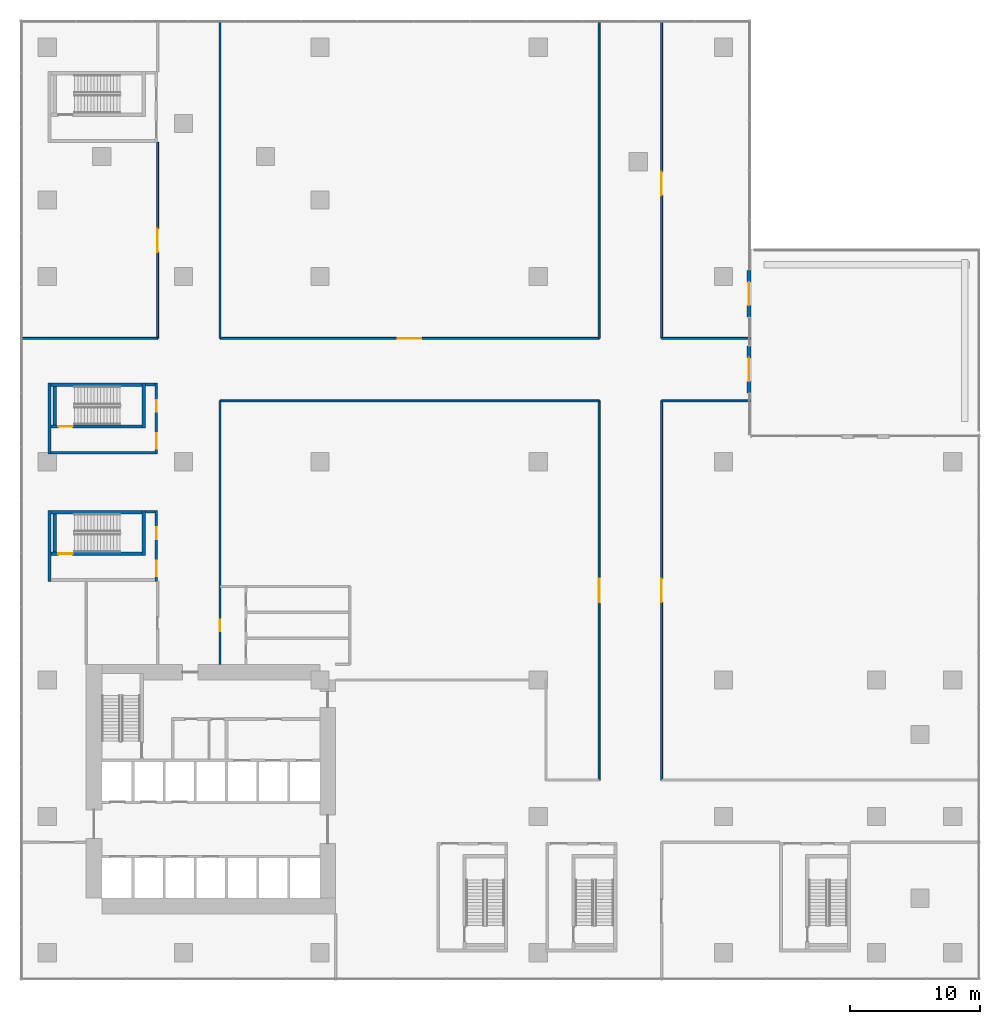
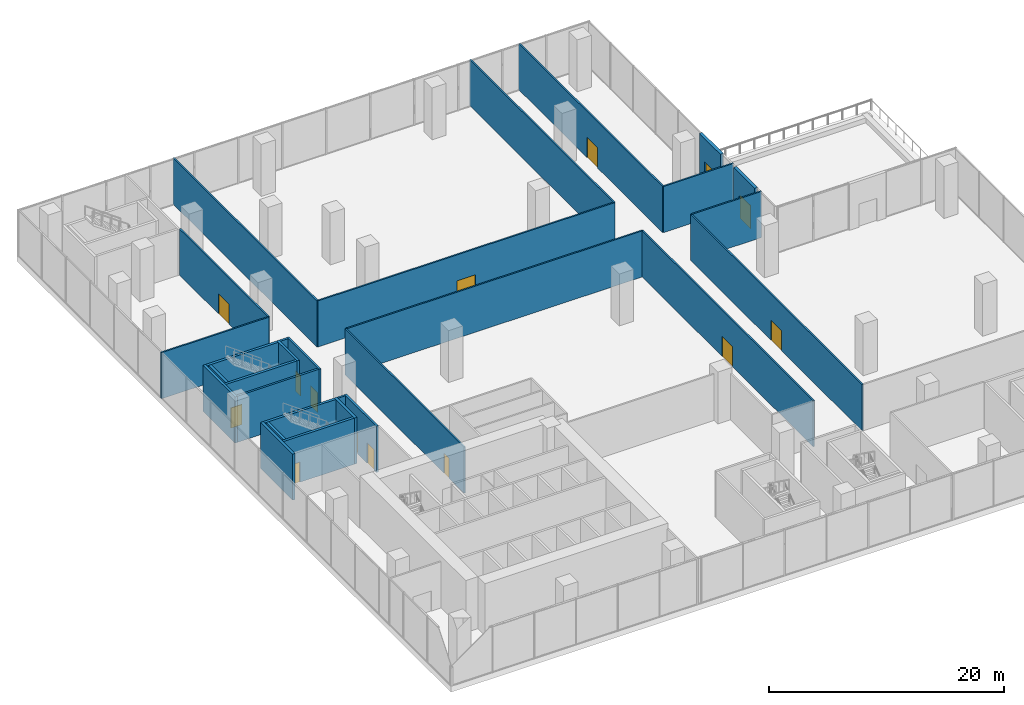
# One storey, part 15 of 23: 29 walls, 14 doors, 14 openings.
"""IFC4 building model written with IfcOpenShell, lengths in metres."""

import ifcopenshell
import ifcopenshell.guid

model = None  # the IFC model being written
_history = None  # IfcOwnerHistory: only IFC2X3 demands one
_inside = {}  # id of a spatial element -> (the spatial element, [elements in it])
_under = {}  # id of a project, library or spatial element -> (it, [spatial elements below it])
_declared = {}  # id of a project -> (the project, [libraries it declares])
_typed = {}  # id of a type object -> (the type object, [elements of that type])
_made_of = {}  # id of a material, layer set ... -> (it, [elements and type objects made of it])


def new_model(schema):
    """Start an empty IFC model of exactly this schema.

    Asked for "IFC4X3", IfcOpenShell would pick the latest addendum, in which some entities
    have other attributes; the version numbers below select the first issue.
    IFC2X3 requires an IfcOwnerHistory on every rooted entity: one is made here for all.
    """
    global model, _history
    if schema == "IFC4X3":
        model = ifcopenshell.file(schema_version=(4, 3, 0, 0))
    else:
        model = ifcopenshell.file(schema=schema)
    _inside.clear()
    _under.clear()
    _declared.clear()
    _typed.clear()
    _made_of.clear()
    _history = None
    if model.schema == "IFC2X3":
        org = make("IfcOrganization", Name="unknown")
        user = make(
            "IfcPersonAndOrganization",
            ThePerson=make("IfcPerson", FamilyName="unknown"),
            TheOrganization=org,
        )
        app = make(
            "IfcApplication",
            ApplicationDeveloper=org,
            Version="unknown",
            ApplicationFullName="unknown",
            ApplicationIdentifier="unknown",
        )
        _history = make(
            "IfcOwnerHistory",
            OwningUser=user,
            OwningApplication=app,
            ChangeAction="ADDED",
            CreationDate=0,
        )
    return model


def make(cls, **values):
    """One entity of the class cls with the attributes given. An attribute that is None is left unset."""
    return model.create_entity(
        cls, **{name: value for name, value in values.items() if value is not None}
    )


def rooted(cls, **values):
    """An entity with a GlobalId (a new one), such as an element, a storey or a relation."""
    return make(cls, GlobalId=ifcopenshell.guid.new(), OwnerHistory=_history, **values)


def si_unit(unit_type, name, prefix=None):
    """IfcSIUnit, for example si_unit("LENGTHUNIT", "METRE", prefix="MILLI")."""
    return make("IfcSIUnit", UnitType=unit_type, Prefix=prefix, Name=name)


def assignment(units):
    """IfcUnitAssignment: the units of a project."""
    return None if units is None else make("IfcUnitAssignment", Units=units)


def point(xyz):
    """IfcCartesianPoint."""
    return None if xyz is None else make("IfcCartesianPoint", Coordinates=xyz)


def direction(xyz):
    """IfcDirection."""
    return None if xyz is None else make("IfcDirection", DirectionRatios=xyz)


def frame(location, z_axis=None, x_axis=None):
    """IfcAxis2Placement3D, a coordinate frame: its origin and axes. An axis left out is left unset."""
    return make(
        "IfcAxis2Placement3D",
        Location=point(location),
        Axis=direction(z_axis),
        RefDirection=direction(x_axis),
    )


def frame_2d(location, x_axis=None):
    """IfcAxis2Placement2D, a coordinate frame in the plane: its origin and x axis."""
    return make(
        "IfcAxis2Placement2D", Location=point(location), RefDirection=direction(x_axis)
    )


def origin():
    """The frame at (0, 0, 0) with its axes left unset."""
    return frame((0.0, 0.0, 0.0))


def place(relative_to, where):
    """IfcLocalPlacement: puts the frame where relative to a parent placement (None: the world)."""
    return make(
        "IfcLocalPlacement", PlacementRelTo=relative_to, RelativePlacement=where
    )


def context(
    kind, dimensions, precision=None, world=None, true_north=None, identifier=None
):
    """IfcGeometricRepresentationContext, for example the 3D "Model" context."""
    return make(
        "IfcGeometricRepresentationContext",
        ContextIdentifier=identifier,
        ContextType=kind,
        CoordinateSpaceDimension=dimensions,
        Precision=precision,
        WorldCoordinateSystem=world,
        TrueNorth=true_north,
    )


def subcontext(parent, identifier, kind, view, scale=None):
    """IfcGeometricRepresentationSubContext, for example "Body" below "Model"."""
    return make(
        "IfcGeometricRepresentationSubContext",
        ContextIdentifier=identifier,
        ContextType=kind,
        ParentContext=parent,
        TargetScale=scale,
        TargetView=view,
    )


def project(units=None, contexts=None):
    """IfcProject with its units and contexts."""
    return rooted(
        "IfcProject",
        Name="project",
        RepresentationContexts=contexts,
        UnitsInContext=assignment(units),
    )


def spatial(cls, under=None, at=None, **own):
    """A site, building, storey or space (cls), placed at a placement, below another one or the project."""
    s = rooted(cls, ObjectPlacement=at, **own)
    if under is not None:
        _under.setdefault(under.id(), (under, []))[1].append(s)
    return s


def profile(cls, at=None, kind="AREA", **sizes):
    """A parametric profile (cls). Its sizes go by their IFC names, for example OverallWidth=200.0."""
    return make(cls, ProfileType=kind, Position=at, **sizes)


def rectangle(**sizes):
    """IfcRectangleProfileDef."""
    return profile("IfcRectangleProfileDef", **sizes)


def extrude(swept, where, along, depth):
    """IfcExtrudedAreaSolid: the profile swept, set in the frame where, extruded along a direction by depth."""
    return make(
        "IfcExtrudedAreaSolid",
        SweptArea=swept,
        Position=where,
        ExtrudedDirection=direction(along),
        Depth=depth,
    )


def shape(context_of_items, identifier, shape_type, items):
    """IfcShapeRepresentation: the items that make up one representation, for example the "Body"."""
    return make(
        "IfcShapeRepresentation",
        ContextOfItems=context_of_items,
        RepresentationIdentifier=identifier,
        RepresentationType=shape_type,
        Items=items,
    )


def source(mapping_origin, context_of_items, identifier, shape_type, items):
    """IfcRepresentationMap: a shape defined once, which mapped items show again and again."""
    return make(
        "IfcRepresentationMap",
        MappingOrigin=mapping_origin,
        MappedRepresentation=shape(context_of_items, identifier, shape_type, items),
    )


def transform(
    local_origin,
    x_axis=None,
    y_axis=None,
    z_axis=None,
    scale=None,
    scale2=None,
    scale3=None,
    uniform=True,
):
    """IfcCartesianTransformationOperator3D, or its non-uniform kind. x_axis, y_axis, z_axis: its Axis1, 2, 3."""
    if uniform:
        return make(
            "IfcCartesianTransformationOperator3D",
            Axis1=direction(x_axis),
            Axis2=direction(y_axis),
            LocalOrigin=point(local_origin),
            Scale=scale,
            Axis3=direction(z_axis),
        )
    return make(
        "IfcCartesianTransformationOperator3DnonUniform",
        Axis1=direction(x_axis),
        Axis2=direction(y_axis),
        LocalOrigin=point(local_origin),
        Scale=scale,
        Axis3=direction(z_axis),
        Scale2=scale2,
        Scale3=scale3,
    )


def mapped(mapping_source, mapping_target):
    """IfcMappedItem: shows the shape of a source again, moved by a transform."""
    return make(
        "IfcMappedItem", MappingSource=mapping_source, MappingTarget=mapping_target
    )


def material(Name=None, Category=None):
    """IfcMaterial."""
    return make("IfcMaterial", Name=Name, Category=Category)


def layer(
    of_material, thickness, ventilated=None, Name=None, Category=None, Priority=None
):
    """IfcMaterialLayer: one layer of a wall or slab, of a material (None: an air gap)."""
    return make(
        "IfcMaterialLayer",
        Material=of_material,
        LayerThickness=thickness,
        IsVentilated=ventilated,
        Name=Name,
        Category=Category,
        Priority=Priority,
    )


def layer_set(layers, Name=None):
    """IfcMaterialLayerSet."""
    return make("IfcMaterialLayerSet", MaterialLayers=layers, LayerSetName=Name)


def made_of(thing, what):
    """Note that an element or type object is made of a material, layer set ...; save() writes the relation."""
    if what is not None:
        _made_of.setdefault(what.id(), (what, []))[1].append(thing)
    return thing


def type_object(cls, material=None, **own):
    """A type object (cls), such as IfcWallType, which elements share."""
    return made_of(rooted(cls, **own), material)


def element(
    cls,
    number,
    at=None,
    inside=None,
    cuts=None,
    type_object=None,
    material=None,
    context=None,
    identifier="Body",
    shape_type=None,
    held_by="IfcProductDefinitionShape",
    body=None,
    shapes=None,
    **own,
):
    """One element of the class cls, such as IfcWall. Its Tag is "e" and its number.

    at: its placement. inside: the storey or other place that contains it. cuts: it is an
    opening in that element (IfcRelVoidsElement). A single representation is given by context,
    identifier, shape_type and body (its items); several are given by shapes. held_by: the class
    of the entity that holds the representations. save() writes the other relations.
    """
    e = rooted(cls, Tag="e%d" % number, ObjectPlacement=at, **own)
    if body is not None:
        shapes = [shape(context, identifier, shape_type, body)]
    if shapes is not None:
        e.Representation = make(held_by, Representations=shapes)
    if inside is not None:
        _inside.setdefault(inside.id(), (inside, []))[1].append(e)
    if cuts is not None:
        rooted(
            "IfcRelVoidsElement", RelatingBuildingElement=cuts, RelatedOpeningElement=e
        )
    if type_object is not None:
        _typed.setdefault(type_object.id(), (type_object, []))[1].append(e)
    return made_of(e, material)


def fill(opening, filler):
    """IfcRelFillsElement: the door or window that sits in an opening."""
    return rooted(
        "IfcRelFillsElement",
        RelatingOpeningElement=opening,
        RelatedBuildingElement=filler,
    )


def aggregate(whole, parts):
    """IfcRelAggregates: a whole, such as a stair, and the parts it consists of."""
    return rooted("IfcRelAggregates", RelatingObject=whole, RelatedObjects=parts)


def save(model, path):
    """Write the relations noted so far, then the file.

    IfcRelAggregates (storeys below a building ...), IfcRelContainedInSpatialStructure (elements
    in a storey), IfcRelDefinesByType, IfcRelAssociatesMaterial and IfcRelDeclares: one each for
    every whole, place, type object, material and project.
    """
    for whole, parts in _under.values():
        aggregate(whole, parts)
    for where, things in _inside.values():
        rooted(
            "IfcRelContainedInSpatialStructure",
            RelatedElements=things,
            RelatingStructure=where,
        )
    for kind, things in _typed.values():
        rooted("IfcRelDefinesByType", RelatedObjects=things, RelatingType=kind)
    for what, things in _made_of.values():
        rooted("IfcRelAssociatesMaterial", RelatedObjects=things, RelatingMaterial=what)
    for by, libraries in _declared.values():
        rooted("IfcRelDeclares", RelatingContext=by, RelatedDefinitions=libraries)
    model.write(path)


model = new_model("IFC4")

# Units and contexts
model_context = context("Model", 3, precision=1e-05, world=origin(), true_north=direction((0.0, 1.0)))
body_context = subcontext(model_context, "Body", "Model", "MODEL_VIEW")
ifc_project = project(units=[si_unit("LENGTHUNIT", "METRE"), si_unit("AREAUNIT", "SQUARE_METRE"), si_unit("VOLUMEUNIT", "CUBIC_METRE"), si_unit("PLANEANGLEUNIT", "RADIAN"), si_unit("MASSUNIT", "GRAM", prefix="KILO")], contexts=[model_context])

# Site, building, storey
site_placement = place(None, origin())
site = spatial("IfcSite", under=ifc_project, at=site_placement, CompositionType="ELEMENT")
building_placement = place(site_placement, origin())
building = spatial("IfcBuilding", under=site, at=building_placement, Name="Aurelian Terraces", CompositionType="ELEMENT")
storey_placement = place(building_placement, frame((0.0, 0.0, 23.7)))
storey = spatial("IfcBuildingStorey", under=building, at=storey_placement, Name="L04", CompositionType="ELEMENT", Elevation=23.7)

# Wall, opening, door
ifc_material_1 = material(Name="Terracotta rainscreen cladding", Category="masonry")
ifc_layer_1 = layer(ifc_material_1, 0.3)
ifc_layer_set_1 = layer_set([ifc_layer_1], Name="EW-300")
wall_type_1 = type_object("IfcWallType", Name="EW-300", PredefinedType="STANDARD", material=ifc_layer_set_1)
shared_shape_1 = source(origin(), body_context, "Body", "SweptSolid", [
    extrude(rectangle(XDim=3.6, YDim=0.3, at=frame_2d((1.8, 0.0))), origin(), (0.0, 0.0, 1.0), 4.8),
])
wall_1_placement = place(storey_placement, frame((54.03, 43.1, 0.0), z_axis=(0.0, 0.0, 1.0), x_axis=(0.0, 1.0, 0.0)))
wall_1 = element("IfcWall", 1, at=wall_1_placement, inside=storey, type_object=wall_type_1, Name="Terrace wall L04 F04", PredefinedType="STANDARD", context=body_context, shape_type="MappedRepresentation", body=[
    mapped(shared_shape_1, transform((0.0, 0.0, 0.0), scale=1.0)),
])
shared_shape_2 = source(origin(), body_context, "Body", "SweptSolid", [
    extrude(rectangle(XDim=1.8, YDim=2.4, at=frame_2d((0.9, 1.2))), frame((0.0, 0.16, 0.0), z_axis=(0.0, -1.0, 0.0), x_axis=(1.0, 0.0, 0.0)), (0.0, 0.0, 1.0), 0.32),
])
opening_1_placement = place(wall_1_placement, frame((0.9, 0.0, 0.0)))
opening_1 = element("IfcOpeningElement", 2, at=opening_1_placement, cuts=wall_1, Name="Opening 80402", PredefinedType="OPENING", context=body_context, shape_type="MappedRepresentation", body=[
    mapped(shared_shape_2, transform((0.0, 0.0, 0.0), scale=1.0)),
])
ifc_material_2 = material(Name="Clear glazing", Category="glass")
door_type_1 = type_object("IfcDoorType", Name="BD-1800x2400", OperationType="SLIDING_TO_LEFT", PredefinedType="DOOR", material=ifc_material_2)
shared_shape_3 = source(origin(), body_context, "Body", "SweptSolid", [
    extrude(rectangle(XDim=1.8, YDim=2.4, at=frame_2d((0.9, 1.2))), frame((0.0, 0.025, 0.0), z_axis=(0.0, -1.0, 0.0), x_axis=(1.0, 0.0, 0.0)), (0.0, 0.0, 1.0), 0.05),
])
door_1_placement = place(opening_1_placement, origin())
door_1 = element("IfcDoor", 3, at=door_1_placement, inside=storey, type_object=door_type_1, Name="Terrace door L04 F04", OperationType="SLIDING_TO_LEFT", OverallHeight=2.4, OverallWidth=1.8, PredefinedType="DOOR", context=body_context, shape_type="MappedRepresentation", body=[
    mapped(shared_shape_3, transform((0.0, 0.0, 0.0), scale=1.0)),
])
fill(opening_1, door_1)

wall_2_placement = place(storey_placement, frame((54.03, 48.94, 0.0), z_axis=(0.0, 0.0, 1.0), x_axis=(0.0, 1.0, 0.0)))
wall_2 = element("IfcWall", 4, at=wall_2_placement, inside=storey, type_object=wall_type_1, Name="Terrace wall L04 F04", PredefinedType="STANDARD", context=body_context, shape_type="MappedRepresentation", body=[
    mapped(shared_shape_1, transform((0.0, 0.0, 0.0), scale=1.0)),
])
opening_2_placement = place(wall_2_placement, frame((0.9, 0.0, 0.0)))
opening_2 = element("IfcOpeningElement", 5, at=opening_2_placement, cuts=wall_2, Name="Opening 80403", PredefinedType="OPENING", context=body_context, shape_type="MappedRepresentation", body=[
    mapped(shared_shape_2, transform((0.0, 0.0, 0.0), scale=1.0)),
])
door_2_placement = place(opening_2_placement, origin())
door_2 = element("IfcDoor", 6, at=door_2_placement, inside=storey, type_object=door_type_1, Name="Terrace door L04 F04", OperationType="SLIDING_TO_LEFT", OverallHeight=2.4, OverallWidth=1.8, PredefinedType="DOOR", context=body_context, shape_type="MappedRepresentation", body=[
    mapped(shared_shape_3, transform((0.0, 0.0, 0.0), scale=1.0)),
])
fill(opening_2, door_2)

ifc_material_3 = material(Name="Concrete fc' 40 MPa", Category="concrete")
ifc_layer_2 = layer(ifc_material_3, 0.25)
ifc_layer_set_2 = layer_set([ifc_layer_2], Name="Stair enclosure wall 250")
wall_type_2 = type_object("IfcWallType", Name="Stair enclosure wall 250", PredefinedType="SOLIDWALL", material=ifc_layer_set_2)
shared_shape_4 = source(origin(), body_context, "Body", "SweptSolid", [
    extrude(rectangle(XDim=7.0, YDim=0.25, at=frame_2d((3.5, 0.0))), origin(), (0.0, 0.0, 1.0), 4.8),
])
wall_3_placement = place(storey_placement, frame((0.3, 40.525, 0.0), z_axis=(0.0, 0.0, 1.0), x_axis=(1.0, 0.0, 0.0)))
wall_3 = element("IfcWall", 7, at=wall_3_placement, inside=storey, type_object=wall_type_2, Name="L04 core wall ST-S3-W", PredefinedType="SOLIDWALL", context=body_context, shape_type="MappedRepresentation", body=[
    mapped(shared_shape_4, transform((0.0, 0.0, 0.0), scale=1.0)),
])
shared_shape_5 = source(origin(), body_context, "Body", "SweptSolid", [
    extrude(rectangle(XDim=1.1, YDim=2.1, at=frame_2d((0.55, 1.05))), frame((0.0, 0.135, 0.0), z_axis=(0.0, -1.0, 0.0), x_axis=(1.0, 0.0, 0.0)), (0.0, 0.0, 1.0), 0.27),
])
opening_3_placement = place(wall_3_placement, frame((0.55, 0.0, 0.0)))
opening_3 = element("IfcOpeningElement", 8, at=opening_3_placement, cuts=wall_3, Name="Opening 60717", PredefinedType="OPENING", context=body_context, shape_type="MappedRepresentation", body=[
    mapped(shared_shape_5, transform((0.0, 0.0, 0.0), scale=1.0)),
])
ifc_material_4 = material(Name="Steel door leaf", Category="steel")
door_type_2 = type_object("IfcDoorType", Name="Core fire door 1100x2100", OperationType="SINGLE_SWING_LEFT", PredefinedType="DOOR", material=ifc_material_4)
shared_shape_6 = source(origin(), body_context, "Body", "SweptSolid", [
    extrude(rectangle(XDim=1.1, YDim=2.1, at=frame_2d((0.55, 1.05))), frame((0.0, 0.025, 0.0), z_axis=(0.0, -1.0, 0.0), x_axis=(1.0, 0.0, 0.0)), (0.0, 0.0, 1.0), 0.05),
])
door_3_placement = place(opening_3_placement, origin())
door_3 = element("IfcDoor", 9, at=door_3_placement, inside=storey, type_object=door_type_2, Name="Stair door 60717", OperationType="SINGLE_SWING_LEFT", OverallHeight=2.1, OverallWidth=1.1, PredefinedType="DOOR", context=body_context, shape_type="MappedRepresentation", body=[
    mapped(shared_shape_6, transform((0.0, 0.0, 0.0), scale=1.0)),
])
fill(opening_3, door_3)

# Wall
wall_4_placement = place(storey_placement, frame((0.3, 43.725, 0.0), z_axis=(0.0, 0.0, 1.0), x_axis=(1.0, 0.0, 0.0)))
element("IfcWall", 10, at=wall_4_placement, inside=storey, type_object=wall_type_2, Name="L04 core wall ST-S3-E", PredefinedType="SOLIDWALL", context=body_context, shape_type="MappedRepresentation", body=[
    mapped(shared_shape_4, transform((0.0, 0.0, 0.0), scale=1.0)),
])

# Wall, opening, door
wall_5_placement = place(storey_placement, frame((0.3, 30.725, 0.0), z_axis=(0.0, 0.0, 1.0), x_axis=(1.0, 0.0, 0.0)))
wall_5 = element("IfcWall", 11, at=wall_5_placement, inside=storey, type_object=wall_type_2, Name="L04 core wall ST-S4-W", PredefinedType="SOLIDWALL", context=body_context, shape_type="MappedRepresentation", body=[
    mapped(shared_shape_4, transform((0.0, 0.0, 0.0), scale=1.0)),
])
opening_4_placement = place(wall_5_placement, frame((0.55, 0.0, 0.0)))
opening_4 = element("IfcOpeningElement", 12, at=opening_4_placement, cuts=wall_5, Name="Opening 60720", PredefinedType="OPENING", context=body_context, shape_type="MappedRepresentation", body=[
    mapped(shared_shape_5, transform((0.0, 0.0, 0.0), scale=1.0)),
])
door_type_3 = type_object("IfcDoorType", Name="Core fire door 1100x2100 right", OperationType="SINGLE_SWING_RIGHT", PredefinedType="DOOR", material=ifc_material_4)
door_4_placement = place(opening_4_placement, origin())
door_4 = element("IfcDoor", 13, at=door_4_placement, inside=storey, type_object=door_type_3, Name="Stair door 60720", OperationType="SINGLE_SWING_RIGHT", OverallHeight=2.1, OverallWidth=1.1, PredefinedType="DOOR", context=body_context, shape_type="MappedRepresentation", body=[
    mapped(shared_shape_6, transform((0.0, 0.0, 0.0), scale=1.0)),
])
fill(opening_4, door_4)

# Walls
wall_6_placement = place(storey_placement, frame((0.3, 33.925, 0.0), z_axis=(0.0, 0.0, 1.0), x_axis=(1.0, 0.0, 0.0)))
element("IfcWall", 14, at=wall_6_placement, inside=storey, type_object=wall_type_2, Name="L04 core wall ST-S4-E", PredefinedType="SOLIDWALL", context=body_context, shape_type="MappedRepresentation", body=[
    mapped(shared_shape_4, transform((0.0, 0.0, 0.0), scale=1.0)),
])
shared_shape_7 = source(origin(), body_context, "Body", "SweptSolid", [
    extrude(rectangle(XDim=3.45, YDim=0.25, at=frame_2d((1.725, 0.0))), origin(), (0.0, 0.0, 1.0), 4.8),
])
for number, where, z_axis, x_axis, name in (
    (15, (7.425, 40.4, 0.0), (0.0, 0.0, 1.0), (0.0, 1.0, 0.0), "L04 core wall ST-S3-N"),
    (16, (7.425, 30.6, 0.0), (0.0, 0.0, 1.0), (0.0, 1.0, 0.0), "L04 core wall ST-S4-N"),
):
    element("IfcWall", number, at=place(storey_placement, frame(where, z_axis=z_axis, x_axis=x_axis)), inside=storey, type_object=wall_type_2, Name=name, PredefinedType="SOLIDWALL", context=body_context, shape_type="MappedRepresentation", body=[
        mapped(shared_shape_7, transform((0.0, 0.0, 0.0), scale=1.0)),
    ])
shared_shape_8 = source(origin(), body_context, "Body", "SweptSolid", [
    extrude(rectangle(XDim=2.95, YDim=0.25, at=frame_2d((1.475, 0.0))), origin(), (0.0, 0.0, 1.0), 4.8),
])
for number, where, z_axis, x_axis, name in (
    (17, (0.575, 40.65, 0.0), (0.0, 0.0, 1.0), (0.0, 1.0, 0.0), "L04 core wall ST-S3-SS"),
    (18, (0.575, 30.85, 0.0), (0.0, 0.0, 1.0), (0.0, 1.0, 0.0), "L04 core wall ST-S4-SS"),
):
    element("IfcWall", number, at=place(storey_placement, frame(where, z_axis=z_axis, x_axis=x_axis)), inside=storey, type_object=wall_type_2, Name=name, PredefinedType="SOLIDWALL", context=body_context, shape_type="MappedRepresentation", body=[
        mapped(shared_shape_8, transform((0.0, 0.0, 0.0), scale=1.0)),
    ])
ifc_material_5 = material(Name="Gypsum board on steel studs", Category="steel")
ifc_layer_3 = layer(ifc_material_5, 0.2)
ifc_layer_set_3 = layer_set([ifc_layer_3], Name="Core partition 200")
wall_type_3 = type_object("IfcWallType", Name="Core partition 200", PredefinedType="PARTITIONING", material=ifc_layer_set_3)
shared_shape_9 = source(origin(), body_context, "Body", "SweptSolid", [
    extrude(rectangle(XDim=8.0, YDim=0.2, at=frame_2d((4.0, 0.0))), origin(), (0.0, 0.0, 1.0), 4.8),
])
wall_7_placement = place(storey_placement, frame((0.3, 38.5, 0.0), z_axis=(0.0, 0.0, 1.0), x_axis=(1.0, 0.0, 0.0)))
element("IfcWall", 19, at=wall_7_placement, inside=storey, type_object=wall_type_3, Name="L04 core wall ST-S3-VW", PredefinedType="PARTITIONING", context=body_context, shape_type="MappedRepresentation", body=[
    mapped(shared_shape_9, transform((0.0, 0.0, 0.0), scale=1.0)),
])

# Wall, openings, doors
shared_shape_10 = source(origin(), body_context, "Body", "SweptSolid", [
    extrude(rectangle(XDim=5.45, YDim=0.2, at=frame_2d((2.725, 0.0))), origin(), (0.0, 0.0, 1.0), 4.8),
])
wall_8_placement = place(storey_placement, frame((8.4, 38.4, 0.0), z_axis=(0.0, 0.0, 1.0), x_axis=(0.0, 1.0, 0.0)))
wall_8 = element("IfcWall", 20, at=wall_8_placement, inside=storey, type_object=wall_type_3, Name="L04 core wall ST-S3-BN", PredefinedType="PARTITIONING", context=body_context, shape_type="MappedRepresentation", body=[
    mapped(shared_shape_10, transform((0.0, 0.0, 0.0), scale=1.0)),
])
shared_shape_11 = source(origin(), body_context, "Body", "SweptSolid", [
    extrude(rectangle(XDim=1.2, YDim=2.1, at=frame_2d((0.6, 1.05))), frame((0.0, 0.11, 0.0), z_axis=(0.0, -1.0, 0.0), x_axis=(1.0, 0.0, 0.0)), (0.0, 0.0, 1.0), 0.22),
])
opening_5_placement = place(wall_8_placement, frame((0.4, 0.0, 0.0)))
opening_5 = element("IfcOpeningElement", 21, at=opening_5_placement, cuts=wall_8, Name="Opening 60718", PredefinedType="OPENING", context=body_context, shape_type="MappedRepresentation", body=[
    mapped(shared_shape_11, transform((0.0, 0.0, 0.0), scale=1.0)),
])
shared_shape_12 = source(origin(), body_context, "Body", "SweptSolid", [
    extrude(rectangle(XDim=0.9, YDim=2.1, at=frame_2d((0.45, 1.05))), frame((0.0, 0.11, 0.0), z_axis=(0.0, -1.0, 0.0), x_axis=(1.0, 0.0, 0.0)), (0.0, 0.0, 1.0), 0.22),
])
opening_6_placement = place(wall_8_placement, frame((3.25, 0.0, 0.0)))
opening_6 = element("IfcOpeningElement", 22, at=opening_6_placement, cuts=wall_8, Name="Opening 60719", PredefinedType="OPENING", context=body_context, shape_type="MappedRepresentation", body=[
    mapped(shared_shape_12, transform((0.0, 0.0, 0.0), scale=1.0)),
])
door_type_4 = type_object("IfcDoorType", Name="Core riser door 900x2100", OperationType="SINGLE_SWING_LEFT", PredefinedType="DOOR", material=ifc_material_4)
shared_shape_13 = source(origin(), body_context, "Body", "SweptSolid", [
    extrude(rectangle(XDim=0.9, YDim=2.1, at=frame_2d((0.45, 1.05))), frame((0.0, 0.025, 0.0), z_axis=(0.0, -1.0, 0.0), x_axis=(1.0, 0.0, 0.0)), (0.0, 0.0, 1.0), 0.05),
])
door_5_placement = place(opening_6_placement, origin())
door_5 = element("IfcDoor", 23, at=door_5_placement, inside=storey, type_object=door_type_4, Name="Riser door 60719", OperationType="SINGLE_SWING_LEFT", OverallHeight=2.1, OverallWidth=0.9, PredefinedType="DOOR", context=body_context, shape_type="MappedRepresentation", body=[
    mapped(shared_shape_13, transform((0.0, 0.0, 0.0), scale=1.0)),
])
fill(opening_6, door_5)
door_type_5 = type_object("IfcDoorType", Name="Core fire door 1200x2100 right", OperationType="SINGLE_SWING_RIGHT", PredefinedType="DOOR", material=ifc_material_4)
shared_shape_14 = source(origin(), body_context, "Body", "SweptSolid", [
    extrude(rectangle(XDim=1.2, YDim=2.1, at=frame_2d((0.6, 1.05))), frame((0.0, 0.025, 0.0), z_axis=(0.0, -1.0, 0.0), x_axis=(1.0, 0.0, 0.0)), (0.0, 0.0, 1.0), 0.05),
])
door_6_placement = place(opening_5_placement, origin())
door_6 = element("IfcDoor", 24, at=door_6_placement, inside=storey, type_object=door_type_5, Name="Vestibule door 60718", OperationType="SINGLE_SWING_RIGHT", OverallHeight=2.1, OverallWidth=1.2, PredefinedType="DOOR", context=body_context, shape_type="MappedRepresentation", body=[
    mapped(shared_shape_14, transform((0.0, 0.0, 0.0), scale=1.0)),
])
fill(opening_5, door_6)

wall_9_placement = place(storey_placement, frame((8.4, 28.6, 0.0), z_axis=(0.0, 0.0, 1.0), x_axis=(0.0, 1.0, 0.0)))
wall_9 = element("IfcWall", 25, at=wall_9_placement, inside=storey, type_object=wall_type_3, Name="L04 core wall ST-S4-BN", PredefinedType="PARTITIONING", context=body_context, shape_type="MappedRepresentation", body=[
    mapped(shared_shape_10, transform((0.0, 0.0, 0.0), scale=1.0)),
])
opening_7_placement = place(wall_9_placement, frame((0.4, 0.0, 0.0)))
opening_7 = element("IfcOpeningElement", 26, at=opening_7_placement, cuts=wall_9, Name="Opening 60721", PredefinedType="OPENING", context=body_context, shape_type="MappedRepresentation", body=[
    mapped(shared_shape_11, transform((0.0, 0.0, 0.0), scale=1.0)),
])
opening_8_placement = place(wall_9_placement, frame((3.25, 0.0, 0.0)))
opening_8 = element("IfcOpeningElement", 27, at=opening_8_placement, cuts=wall_9, Name="Opening 60722", PredefinedType="OPENING", context=body_context, shape_type="MappedRepresentation", body=[
    mapped(shared_shape_12, transform((0.0, 0.0, 0.0), scale=1.0)),
])
door_type_6 = type_object("IfcDoorType", Name="Core riser door 900x2100 right", OperationType="SINGLE_SWING_RIGHT", PredefinedType="DOOR", material=ifc_material_4)
door_7_placement = place(opening_8_placement, origin())
door_7 = element("IfcDoor", 28, at=door_7_placement, inside=storey, type_object=door_type_6, Name="Riser door 60722", OperationType="SINGLE_SWING_RIGHT", OverallHeight=2.1, OverallWidth=0.9, PredefinedType="DOOR", context=body_context, shape_type="MappedRepresentation", body=[
    mapped(shared_shape_13, transform((0.0, 0.0, 0.0), scale=1.0)),
])
fill(opening_8, door_7)
door_type_7 = type_object("IfcDoorType", Name="Core fire door 1200x2100", OperationType="SINGLE_SWING_LEFT", PredefinedType="DOOR", material=ifc_material_4)
door_8_placement = place(opening_7_placement, origin())
door_8 = element("IfcDoor", 29, at=door_8_placement, inside=storey, type_object=door_type_7, Name="Vestibule door 60721", OperationType="SINGLE_SWING_LEFT", OverallHeight=2.1, OverallWidth=1.2, PredefinedType="DOOR", context=body_context, shape_type="MappedRepresentation", body=[
    mapped(shared_shape_14, transform((0.0, 0.0, 0.0), scale=1.0)),
])
fill(opening_7, door_8)

# Walls
shared_shape_15 = source(origin(), body_context, "Body", "SweptSolid", [
    extrude(rectangle(XDim=0.75, YDim=0.2, at=frame_2d((0.375, 0.0))), origin(), (0.0, 0.0, 1.0), 4.8),
])
for number, where, z_axis, x_axis, name in (
    (30, (7.55, 43.75, 0.0), (0.0, 0.0, 1.0), (1.0, 0.0, 0.0), "L04 core wall ST-S3-RE"),
    (31, (7.55, 33.95, 0.0), (0.0, 0.0, 1.0), (1.0, 0.0, 0.0), "L04 core wall ST-S4-RE"),
):
    element("IfcWall", number, at=place(storey_placement, frame(where, z_axis=z_axis, x_axis=x_axis)), inside=storey, type_object=wall_type_3, Name=name, PredefinedType="PARTITIONING", context=body_context, shape_type="MappedRepresentation", body=[
        mapped(shared_shape_15, transform((0.0, 0.0, 0.0), scale=1.0)),
    ])
shared_shape_16 = source(origin(), body_context, "Body", "SweptSolid", [
    extrude(rectangle(XDim=5.45, YDim=0.25, at=frame_2d((2.725, 0.0))), origin(), (0.0, 0.0, 1.0), 4.8),
])
for number, where, z_axis, x_axis, name in (
    (32, (0.175, 38.4, 0.0), (0.0, 0.0, 1.0), (0.0, 1.0, 0.0), "L04 core wall ST-S3-S"),
    (33, (0.175, 28.6, 0.0), (0.0, 0.0, 1.0), (0.0, 1.0, 0.0), "L04 core wall ST-S4-S"),
):
    element("IfcWall", number, at=place(storey_placement, frame(where, z_axis=z_axis, x_axis=x_axis)), inside=storey, type_object=wall_type_2, Name=name, PredefinedType="SOLIDWALL", context=body_context, shape_type="MappedRepresentation", body=[
        mapped(shared_shape_16, transform((0.0, 0.0, 0.0), scale=1.0)),
    ])
ifc_layer_4 = layer(ifc_material_5, 0.15)
ifc_layer_set_4 = layer_set([ifc_layer_4], Name="Special partition 150")
wall_type_4 = type_object("IfcWallType", Name="Special partition 150", PredefinedType="PARTITIONING", material=ifc_layer_set_4)
shared_shape_17 = source(origin(), body_context, "Body", "SweptSolid", [
    extrude(rectangle(XDim=29.2, YDim=0.15, at=frame_2d((14.6, 0.0))), origin(), (0.0, 0.0, 1.0), 4.8),
])
wall_10_placement = place(storey_placement, frame((13.3, 42.5, 0.0), z_axis=(0.0, 0.0, 1.0), x_axis=(1.0, 0.0, 0.0)))
element("IfcWall", 34, at=wall_10_placement, inside=storey, type_object=wall_type_4, Name="L04 partition W11", PredefinedType="PARTITIONING", context=body_context, shape_type="MappedRepresentation", body=[
    mapped(shared_shape_17, transform((0.0, 0.0, 0.0), scale=1.0)),
])

# Wall, opening, door
wall_11_placement = place(storey_placement, frame((13.3, 47.3, 0.0), z_axis=(0.0, 0.0, 1.0), x_axis=(1.0, 0.0, 0.0)))
wall_11 = element("IfcWall", 35, at=wall_11_placement, inside=storey, type_object=wall_type_4, Name="L04 partition W14", PredefinedType="PARTITIONING", context=body_context, shape_type="MappedRepresentation", body=[
    mapped(shared_shape_17, transform((0.0, 0.0, 0.0), scale=1.0)),
])
shared_shape_18 = source(origin(), body_context, "Body", "SweptSolid", [
    extrude(rectangle(XDim=1.8, YDim=2.1, at=frame_2d((0.9, 1.05))), frame((0.0, 0.085, 0.0), z_axis=(0.0, -1.0, 0.0), x_axis=(1.0, 0.0, 0.0)), (0.0, 0.0, 1.0), 0.17),
])
opening_9_placement = place(wall_11_placement, frame((13.7, 0.0, 0.0)))
opening_9 = element("IfcOpeningElement", 36, at=opening_9_placement, cuts=wall_11, Name="Opening 70702", PredefinedType="OPENING", context=body_context, shape_type="MappedRepresentation", body=[
    mapped(shared_shape_18, transform((0.0, 0.0, 0.0), scale=1.0)),
])
ifc_material_6 = material(Name="Timber door leaf", Category="wood")
door_type_8 = type_object("IfcDoorType", Name="Special double door 1800x2100", OperationType="DOUBLE_DOOR_SINGLE_SWING", PredefinedType="DOOR", material=ifc_material_6)
shared_shape_19 = source(origin(), body_context, "Body", "SweptSolid", [
    extrude(rectangle(XDim=1.8, YDim=2.1, at=frame_2d((0.9, 1.05))), frame((0.0, 0.025, 0.0), z_axis=(0.0, -1.0, 0.0), x_axis=(1.0, 0.0, 0.0)), (0.0, 0.0, 1.0), 0.05),
])
door_9_placement = place(opening_9_placement, origin())
door_9 = element("IfcDoor", 37, at=door_9_placement, inside=storey, type_object=door_type_8, Name="Door 70702", OperationType="DOUBLE_DOOR_SINGLE_SWING", OverallHeight=2.1, OverallWidth=1.8, PredefinedType="DOOR", context=body_context, shape_type="MappedRepresentation", body=[
    mapped(shared_shape_19, transform((0.0, 0.0, 0.0), scale=1.0)),
])
fill(opening_9, door_9)

wall_12_placement = place(storey_placement, frame((42.5, 13.3, 0.0), z_axis=(0.0, 0.0, 1.0), x_axis=(0.0, 1.0, 0.0)))
wall_12 = element("IfcWall", 38, at=wall_12_placement, inside=storey, type_object=wall_type_4, Name="L04 partition W26", PredefinedType="PARTITIONING", context=body_context, shape_type="MappedRepresentation", body=[
    mapped(shared_shape_17, transform((0.0, 0.0, 0.0), scale=1.0)),
])
opening_10_placement = place(wall_12_placement, frame((13.7, 0.0, 0.0)))
opening_10 = element("IfcOpeningElement", 39, at=opening_10_placement, cuts=wall_12, Name="Opening 70709", PredefinedType="OPENING", context=body_context, shape_type="MappedRepresentation", body=[
    mapped(shared_shape_18, transform((0.0, 0.0, 0.0), scale=1.0)),
])
door_10_placement = place(opening_10_placement, origin())
door_10 = element("IfcDoor", 40, at=door_10_placement, inside=storey, type_object=door_type_8, Name="Door 70709", OperationType="DOUBLE_DOOR_SINGLE_SWING", OverallHeight=2.1, OverallWidth=1.8, PredefinedType="DOOR", context=body_context, shape_type="MappedRepresentation", body=[
    mapped(shared_shape_19, transform((0.0, 0.0, 0.0), scale=1.0)),
])
fill(opening_10, door_10)

wall_13_placement = place(storey_placement, frame((47.3, 13.3, 0.0), z_axis=(0.0, 0.0, 1.0), x_axis=(0.0, 1.0, 0.0)))
wall_13 = element("IfcWall", 41, at=wall_13_placement, inside=storey, type_object=wall_type_4, Name="L04 partition W29", PredefinedType="PARTITIONING", context=body_context, shape_type="MappedRepresentation", body=[
    mapped(shared_shape_17, transform((0.0, 0.0, 0.0), scale=1.0)),
])
opening_11_placement = place(wall_13_placement, frame((13.7, 0.0, 0.0)))
opening_11 = element("IfcOpeningElement", 42, at=opening_11_placement, cuts=wall_13, Name="Opening 70711", PredefinedType="OPENING", context=body_context, shape_type="MappedRepresentation", body=[
    mapped(shared_shape_18, transform((0.0, 0.0, 0.0), scale=1.0)),
])
door_11_placement = place(opening_11_placement, origin())
door_11 = element("IfcDoor", 43, at=door_11_placement, inside=storey, type_object=door_type_8, Name="Door 70711", OperationType="DOUBLE_DOOR_SINGLE_SWING", OverallHeight=2.1, OverallWidth=1.8, PredefinedType="DOOR", context=body_context, shape_type="MappedRepresentation", body=[
    mapped(shared_shape_19, transform((0.0, 0.0, 0.0), scale=1.0)),
])
fill(opening_11, door_11)

# Walls
shared_shape_20 = source(origin(), body_context, "Body", "SweptSolid", [
    extrude(rectangle(XDim=10.6, YDim=0.15, at=frame_2d((5.3, 0.0))), origin(), (0.0, 0.0, 1.0), 4.8),
])
wall_14_placement = place(storey_placement, frame((-2.1, 47.3, 0.0), z_axis=(0.0, 0.0, 1.0), x_axis=(1.0, 0.0, 0.0)))
element("IfcWall", 44, at=wall_14_placement, inside=storey, type_object=wall_type_4, Name="L04 partition W13", PredefinedType="PARTITIONING", context=body_context, shape_type="MappedRepresentation", body=[
    mapped(shared_shape_20, transform((0.0, 0.0, 0.0), scale=1.0)),
])
shared_shape_21 = source(origin(), body_context, "Body", "SweptSolid", [
    extrude(rectangle(XDim=6.88, YDim=0.15, at=frame_2d((3.44, 0.0))), origin(), (0.0, 0.0, 1.0), 4.8),
])
for number, where, z_axis, x_axis, name in (
    (45, (47.3, 42.5, 0.0), (0.0, 0.0, 1.0), (1.0, 0.0, 0.0), "L04 partition W12"),
    (46, (47.3, 47.3, 0.0), (0.0, 0.0, 1.0), (1.0, 0.0, 0.0), "L04 partition W15"),
):
    element("IfcWall", number, at=place(storey_placement, frame(where, z_axis=z_axis, x_axis=x_axis)), inside=storey, type_object=wall_type_4, Name=name, PredefinedType="PARTITIONING", context=body_context, shape_type="MappedRepresentation", body=[
        mapped(shared_shape_21, transform((0.0, 0.0, 0.0), scale=1.0)),
    ])

# Wall, opening, door
shared_shape_22 = source(origin(), body_context, "Body", "SweptSolid", [
    extrude(rectangle(XDim=15.1, YDim=0.15, at=frame_2d((7.55, 0.0))), origin(), (0.0, 0.0, 1.0), 4.8),
])
wall_15_placement = place(storey_placement, frame((8.5, 47.3, 0.0), z_axis=(0.0, 0.0, 1.0), x_axis=(0.0, 1.0, 0.0)))
wall_15 = element("IfcWall", 47, at=wall_15_placement, inside=storey, type_object=wall_type_4, Name="L04 partition W18", PredefinedType="PARTITIONING", context=body_context, shape_type="MappedRepresentation", body=[
    mapped(shared_shape_22, transform((0.0, 0.0, 0.0), scale=1.0)),
])
opening_12_placement = place(wall_15_placement, frame((6.65, 0.0, 0.0)))
opening_12 = element("IfcOpeningElement", 48, at=opening_12_placement, cuts=wall_15, Name="Opening 70704", PredefinedType="OPENING", context=body_context, shape_type="MappedRepresentation", body=[
    mapped(shared_shape_18, transform((0.0, 0.0, 0.0), scale=1.0)),
])
door_12_placement = place(opening_12_placement, origin())
door_12 = element("IfcDoor", 49, at=door_12_placement, inside=storey, type_object=door_type_8, Name="Door 70704", OperationType="DOUBLE_DOOR_SINGLE_SWING", OverallHeight=2.1, OverallWidth=1.8, PredefinedType="DOOR", context=body_context, shape_type="MappedRepresentation", body=[
    mapped(shared_shape_19, transform((0.0, 0.0, 0.0), scale=1.0)),
])
fill(opening_12, door_12)

shared_shape_23 = source(origin(), body_context, "Body", "SweptSolid", [
    extrude(rectangle(XDim=20.3, YDim=0.15, at=frame_2d((10.15, 0.0))), origin(), (0.0, 0.0, 1.0), 4.8),
])
wall_16_placement = place(storey_placement, frame((13.3, 22.2, 0.0), z_axis=(0.0, 0.0, 1.0), x_axis=(0.0, 1.0, 0.0)))
wall_16 = element("IfcWall", 50, at=wall_16_placement, inside=storey, type_object=wall_type_4, Name="L04 partition W20", PredefinedType="PARTITIONING", context=body_context, shape_type="MappedRepresentation", body=[
    mapped(shared_shape_23, transform((0.0, 0.0, 0.0), scale=1.0)),
])
shared_shape_24 = source(origin(), body_context, "Body", "SweptSolid", [
    extrude(rectangle(XDim=0.9, YDim=2.1, at=frame_2d((0.45, 1.05))), frame((0.0, 0.085, 0.0), z_axis=(0.0, -1.0, 0.0), x_axis=(1.0, 0.0, 0.0)), (0.0, 0.0, 1.0), 0.17),
])
opening_13_placement = place(wall_16_placement, frame((2.55, 0.0, 0.0)))
opening_13 = element("IfcOpeningElement", 51, at=opening_13_placement, cuts=wall_16, Name="Opening 70705", PredefinedType="OPENING", context=body_context, shape_type="MappedRepresentation", body=[
    mapped(shared_shape_24, transform((0.0, 0.0, 0.0), scale=1.0)),
])
door_type_9 = type_object("IfcDoorType", Name="Special door 900x2100 right", OperationType="SINGLE_SWING_RIGHT", PredefinedType="DOOR", material=ifc_material_6)
door_13_placement = place(opening_13_placement, origin())
door_13 = element("IfcDoor", 52, at=door_13_placement, inside=storey, type_object=door_type_9, Name="Door 70705", OperationType="SINGLE_SWING_RIGHT", OverallHeight=2.1, OverallWidth=0.9, PredefinedType="DOOR", context=body_context, shape_type="MappedRepresentation", body=[
    mapped(shared_shape_13, transform((0.0, 0.0, 0.0), scale=1.0)),
])
fill(opening_13, door_13)

# Walls
shared_shape_25 = source(origin(), body_context, "Body", "SweptSolid", [
    extrude(rectangle(XDim=24.52, YDim=0.15, at=frame_2d((12.26, 0.0))), origin(), (0.0, 0.0, 1.0), 4.8),
])
for number, where, z_axis, x_axis, name in (
    (53, (13.3, 47.3, 0.0), (0.0, 0.0, 1.0), (0.0, 1.0, 0.0), "L04 partition W21"),
    (54, (42.5, 47.3, 0.0), (0.0, 0.0, 1.0), (0.0, 1.0, 0.0), "L04 partition W27"),
):
    element("IfcWall", number, at=place(storey_placement, frame(where, z_axis=z_axis, x_axis=x_axis)), inside=storey, type_object=wall_type_4, Name=name, PredefinedType="PARTITIONING", context=body_context, shape_type="MappedRepresentation", body=[
        mapped(shared_shape_25, transform((0.0, 0.0, 0.0), scale=1.0)),
    ])

# Wall, opening, door
wall_17_placement = place(storey_placement, frame((47.3, 47.3, 0.0), z_axis=(0.0, 0.0, 1.0), x_axis=(0.0, 1.0, 0.0)))
wall_17 = element("IfcWall", 55, at=wall_17_placement, inside=storey, type_object=wall_type_4, Name="L04 partition W30", PredefinedType="PARTITIONING", context=body_context, shape_type="MappedRepresentation", body=[
    mapped(shared_shape_25, transform((0.0, 0.0, 0.0), scale=1.0)),
])
opening_14_placement = place(wall_17_placement, frame((11.02, 0.0, 0.0)))
opening_14 = element("IfcOpeningElement", 56, at=opening_14_placement, cuts=wall_17, Name="Opening 70712", PredefinedType="OPENING", context=body_context, shape_type="MappedRepresentation", body=[
    mapped(shared_shape_18, transform((0.0, 0.0, 0.0), scale=1.0)),
])
door_14_placement = place(opening_14_placement, origin())
door_14 = element("IfcDoor", 57, at=door_14_placement, inside=storey, type_object=door_type_8, Name="Door 70712", OperationType="DOUBLE_DOOR_SINGLE_SWING", OverallHeight=2.1, OverallWidth=1.8, PredefinedType="DOOR", context=body_context, shape_type="MappedRepresentation", body=[
    mapped(shared_shape_19, transform((0.0, 0.0, 0.0), scale=1.0)),
])
fill(opening_14, door_14)

save(model, "model.ifc")
